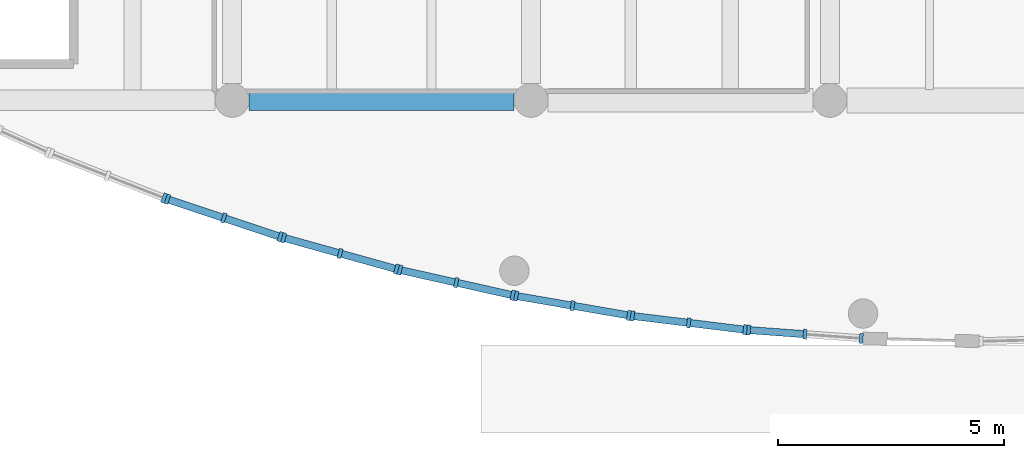
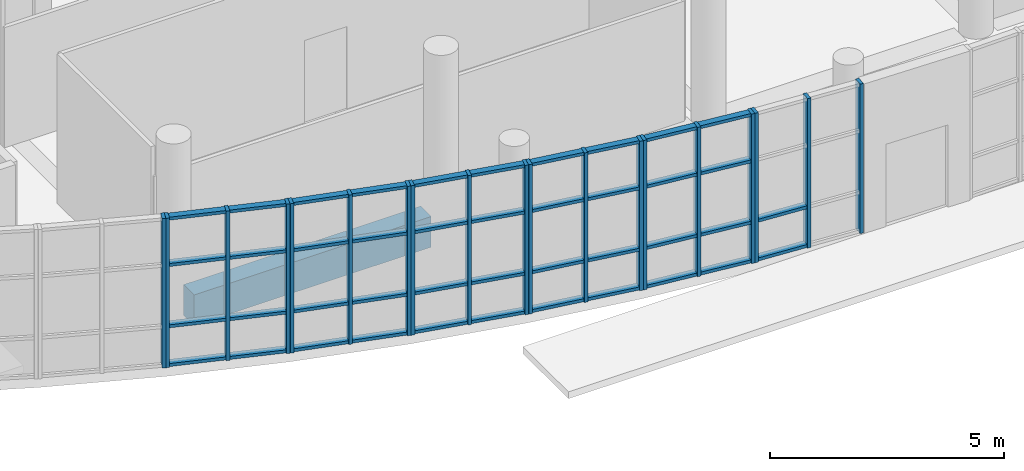
# One storey, part 10 of 69: 61 members, 1 beam, 7 elements without a shape of their own.
"""IFC4 building model written with IfcOpenShell, lengths in metres."""

from ifc_helpers import new_model, si_unit, direction, frame, origin, origin_2d, place, context, subcontext, project, spatial, rectangle, extrude, material, material_profile, profile_set, type_object, element, aggregate, save


model = new_model("IFC4")

# Units and contexts
model_context = context("Model", 3, precision=1e-05, world=origin(), true_north=direction((0.0, 1.0)))
body_context = subcontext(model_context, "Body", "Model", "MODEL_VIEW")
ifc_project = project(units=[si_unit("LENGTHUNIT", "METRE"), si_unit("AREAUNIT", "SQUARE_METRE"), si_unit("VOLUMEUNIT", "CUBIC_METRE"), si_unit("PLANEANGLEUNIT", "RADIAN"), si_unit("MASSUNIT", "GRAM", prefix="KILO")], contexts=[model_context])

# Site, building, storey
site_placement = place(None, origin())
site = spatial("IfcSite", under=ifc_project, at=site_placement, CompositionType="ELEMENT")
building_placement = place(site_placement, origin())
building = spatial("IfcBuilding", under=site, at=building_placement, Name="Ciguamira Faculty of Natural Sciences", CompositionType="ELEMENT")
storey_placement = place(building_placement, origin())
storey = spatial("IfcBuildingStorey", under=building, at=storey_placement, Name="L00", CompositionType="ELEMENT", Elevation=0.0)

# Curtain wall, member
ifc_material_1 = material(Name="Anodized aluminium curtain wall", Category="aluminium")
curtain_wall_type_1 = type_object("IfcCurtainWallType", Name="CurtainWall_CW-08", PredefinedType="USERDEFINED", material=ifc_material_1)
curtain_wall_1_placement = place(storey_placement, origin())
curtain_wall_1 = element("IfcCurtainWall", 1, at=curtain_wall_1_placement, inside=storey, type_object=curtain_wall_type_1, Name="L00 south gallery curved curtain wall 02", ObjectType="UNITISED CURTAIN WALL", PredefinedType="USERDEFINED")
ifc_material_2 = material(Name="Anodized aluminium mullion", Category="aluminium")
ifc_material_profile_1 = material_profile(ifc_material_2, rectangle(XDim=0.080078125, YDim=0.219970703125, at=origin_2d()), Name="ALU-MUL-80X220")
ifc_profile_set_1 = profile_set([ifc_material_profile_1], Name="Anodized aluminium mullion")
member_type_1 = type_object("IfcMemberType", Name="CWMullion_CWM-03", PredefinedType="MULLION", material=ifc_profile_set_1)
member_1_placement = place(storey_placement, frame((68.99609375, 7.84423828125, 0.0), z_axis=(0.0, 0.0, 1.0), x_axis=(0.931122296337, -0.36470710065, 0.0)))
member_1 = element("IfcMember", 2, at=member_1_placement, type_object=member_type_1, Name="CW-08 mullion 3", PredefinedType="MULLION", context=body_context, shape_type="SweptSolid", body=[
    extrude(rectangle(XDim=0.080078125, YDim=0.219970703125, at=origin_2d()), origin(), (0.0, 0.0, 1.0), 3.89990234375),
])
aggregate(curtain_wall_1, [member_1])

# Curtain wall, members
curtain_wall_type_2 = type_object("IfcCurtainWallType", Name="CurtainWall_CW-09", PredefinedType="USERDEFINED", material=ifc_material_1)
curtain_wall_2_placement = place(storey_placement, origin())
curtain_wall_2 = element("IfcCurtainWall", 3, at=curtain_wall_2_placement, inside=storey, type_object=curtain_wall_type_2, Name="L00 south gallery curved curtain wall 03", ObjectType="UNITISED CURTAIN WALL", PredefinedType="USERDEFINED")
member_2_placement = place(storey_placement, frame((69.0712890625, 7.81689453125, 0.0), z_axis=(0.0, 0.0, 1.0), x_axis=(0.948735033862, -0.316072516242, 0.0)))
member_2 = element("IfcMember", 4, at=member_2_placement, type_object=member_type_1, Name="CW-09 mullion 1", PredefinedType="MULLION", context=body_context, shape_type="SweptSolid", body=[
    extrude(rectangle(XDim=0.080078125, YDim=0.219970703125, at=origin_2d()), origin(), (0.0, 0.0, 1.0), 3.89990234375),
])
member_3_placement = place(storey_placement, frame((70.316650390625, 7.402099609375, 0.0), z_axis=(0.0, 0.0, 1.0), x_axis=(0.948735033862, -0.316072516242, 0.0)))
member_3 = element("IfcMember", 5, at=member_3_placement, type_object=member_type_1, Name="CW-09 mullion 2", PredefinedType="MULLION", context=body_context, shape_type="SweptSolid", body=[
    extrude(rectangle(XDim=0.080078125, YDim=0.219970703125, at=origin_2d()), origin(), (0.0, 0.0, 1.0), 3.89990234375),
])
member_4_placement = place(storey_placement, frame((71.56201171875, 6.987060546875, 0.0), z_axis=(0.0, 0.0, 1.0), x_axis=(0.948735033862, -0.316072516242, 0.0)))
member_4 = element("IfcMember", 6, at=member_4_placement, type_object=member_type_1, Name="CW-09 mullion 3", PredefinedType="MULLION", context=body_context, shape_type="SweptSolid", body=[
    extrude(rectangle(XDim=0.080078125, YDim=0.219970703125, at=origin_2d()), origin(), (0.0, 0.0, 1.0), 3.89990234375),
])

curtain_wall_type_3 = type_object("IfcCurtainWallType", Name="CurtainWall_CW-10", PredefinedType="USERDEFINED", material=ifc_material_1)
curtain_wall_3_placement = place(storey_placement, origin())
curtain_wall_3 = element("IfcCurtainWall", 7, at=curtain_wall_3_placement, inside=storey, type_object=curtain_wall_type_3, Name="L00 south gallery curved curtain wall 04", ObjectType="UNITISED CURTAIN WALL", PredefinedType="USERDEFINED")
member_5_placement = place(storey_placement, frame((71.638427734375, 6.9638671875, 0.0), z_axis=(0.0, 0.0, 1.0), x_axis=(0.963573286652, -0.267444426472, 0.0)))
member_5 = element("IfcMember", 8, at=member_5_placement, type_object=member_type_1, Name="CW-10 mullion 1", PredefinedType="MULLION", context=body_context, shape_type="SweptSolid", body=[
    extrude(rectangle(XDim=0.080078125, YDim=0.219970703125, at=origin_2d()), origin(), (0.0, 0.0, 1.0), 3.89990234375),
])
member_6_placement = place(storey_placement, frame((72.88330078125, 6.618408203125, 0.0), z_axis=(0.0, 0.0, 1.0), x_axis=(0.963573286652, -0.267444426472, 0.0)))
member_6 = element("IfcMember", 9, at=member_6_placement, type_object=member_type_1, Name="CW-10 mullion 2", PredefinedType="MULLION", context=body_context, shape_type="SweptSolid", body=[
    extrude(rectangle(XDim=0.080078125, YDim=0.219970703125, at=origin_2d()), origin(), (0.0, 0.0, 1.0), 3.89990234375),
])
member_7_placement = place(storey_placement, frame((74.128173828125, 6.272705078125, 0.0), z_axis=(0.0, 0.0, 1.0), x_axis=(0.963573286652, -0.267444426472, 0.0)))
member_7 = element("IfcMember", 10, at=member_7_placement, type_object=member_type_1, Name="CW-10 mullion 3", PredefinedType="MULLION", context=body_context, shape_type="SweptSolid", body=[
    extrude(rectangle(XDim=0.080078125, YDim=0.219970703125, at=origin_2d()), origin(), (0.0, 0.0, 1.0), 3.89990234375),
])

curtain_wall_type_4 = type_object("IfcCurtainWallType", Name="CurtainWall_CW-11", PredefinedType="USERDEFINED", material=ifc_material_1)
curtain_wall_4_placement = place(storey_placement, origin())
curtain_wall_4 = element("IfcCurtainWall", 11, at=curtain_wall_4_placement, inside=storey, type_object=curtain_wall_type_4, Name="L00 south gallery curved curtain wall 05", ObjectType="UNITISED CURTAIN WALL", PredefinedType="USERDEFINED")
member_8_placement = place(storey_placement, frame((74.205810546875, 6.25341796875, 0.0), z_axis=(0.0, 0.0, 1.0), x_axis=(0.975762990759, -0.218830038763, 0.0)))
member_8 = element("IfcMember", 12, at=member_8_placement, type_object=member_type_1, Name="CW-11 mullion 1", PredefinedType="MULLION", context=body_context, shape_type="SweptSolid", body=[
    extrude(rectangle(XDim=0.080078125, YDim=0.219970703125, at=origin_2d()), origin(), (0.0, 0.0, 1.0), 3.89990234375),
])
member_9_placement = place(storey_placement, frame((75.449951171875, 5.974365234375, 0.0), z_axis=(0.0, 0.0, 1.0), x_axis=(0.975762990759, -0.218830038763, 0.0)))
member_9 = element("IfcMember", 13, at=member_9_placement, type_object=member_type_1, Name="CW-11 mullion 2", PredefinedType="MULLION", context=body_context, shape_type="SweptSolid", body=[
    extrude(rectangle(XDim=0.080078125, YDim=0.219970703125, at=origin_2d()), origin(), (0.0, 0.0, 1.0), 3.89990234375),
])
member_10_placement = place(storey_placement, frame((76.6943359375, 5.6953125, 0.0), z_axis=(0.0, 0.0, 1.0), x_axis=(0.975762990759, -0.218830038763, 0.0)))
member_10 = element("IfcMember", 14, at=member_10_placement, type_object=member_type_1, Name="CW-11 mullion 3", PredefinedType="MULLION", context=body_context, shape_type="SweptSolid", body=[
    extrude(rectangle(XDim=0.080078125, YDim=0.219970703125, at=origin_2d()), origin(), (0.0, 0.0, 1.0), 3.89990234375),
])

curtain_wall_type_5 = type_object("IfcCurtainWallType", Name="CurtainWall_CW-12", PredefinedType="USERDEFINED", material=ifc_material_1)
curtain_wall_5_placement = place(storey_placement, origin())
curtain_wall_5 = element("IfcCurtainWall", 15, at=curtain_wall_5_placement, inside=storey, type_object=curtain_wall_type_5, Name="L00 south gallery curved curtain wall 06", ObjectType="UNITISED CURTAIN WALL", PredefinedType="USERDEFINED")
member_11_placement = place(storey_placement, frame((76.772705078125, 5.6796875, 0.0), z_axis=(0.0, 0.0, 1.0), x_axis=(0.985410865099, -0.170192323402, 0.0)))
member_11 = element("IfcMember", 16, at=member_11_placement, type_object=member_type_1, Name="CW-12 mullion 1", PredefinedType="MULLION", context=body_context, shape_type="SweptSolid", body=[
    extrude(rectangle(XDim=0.080078125, YDim=0.219970703125, at=origin_2d()), origin(), (0.0, 0.0, 1.0), 3.89990234375),
])
member_12_placement = place(storey_placement, frame((78.0166015625, 5.46484375, 0.0), z_axis=(0.0, 0.0, 1.0), x_axis=(0.985410865099, -0.170192323402, 0.0)))
member_12 = element("IfcMember", 17, at=member_12_placement, type_object=member_type_1, Name="CW-12 mullion 2", PredefinedType="MULLION", context=body_context, shape_type="SweptSolid", body=[
    extrude(rectangle(XDim=0.080078125, YDim=0.219970703125, at=origin_2d()), origin(), (0.0, 0.0, 1.0), 3.89990234375),
])
member_13_placement = place(storey_placement, frame((79.260498046875, 5.25, 0.0), z_axis=(0.0, 0.0, 1.0), x_axis=(0.985410865099, -0.170192323402, 0.0)))
member_13 = element("IfcMember", 18, at=member_13_placement, type_object=member_type_1, Name="CW-12 mullion 3", PredefinedType="MULLION", context=body_context, shape_type="SweptSolid", body=[
    extrude(rectangle(XDim=0.080078125, YDim=0.219970703125, at=origin_2d()), origin(), (0.0, 0.0, 1.0), 3.89990234375),
])

curtain_wall_type_6 = type_object("IfcCurtainWallType", Name="CurtainWall_CW-01", PredefinedType="USERDEFINED", material=ifc_material_1)
curtain_wall_6_placement = place(storey_placement, origin())
curtain_wall_6 = element("IfcCurtainWall", 19, at=curtain_wall_6_placement, inside=storey, type_object=curtain_wall_type_6, Name="L00 south gallery curved curtain wall 07", ObjectType="UNITISED CURTAIN WALL", PredefinedType="USERDEFINED")
member_14_placement = place(storey_placement, frame((79.339599609375, 5.23828125, 0.0), z_axis=(0.0, 0.0, 1.0), x_axis=(0.992585912631, -0.12154507825, 0.0)))
member_14 = element("IfcMember", 20, at=member_14_placement, type_object=member_type_1, Name="CW-01 mullion 1", PredefinedType="MULLION", context=body_context, shape_type="SweptSolid", body=[
    extrude(rectangle(XDim=0.080078125, YDim=0.219970703125, at=origin_2d()), origin(), (0.0, 0.0, 1.0), 3.89990234375),
])
member_15_placement = place(storey_placement, frame((80.583251953125, 5.0859375, 0.0), z_axis=(0.0, 0.0, 1.0), x_axis=(0.992585912631, -0.12154507825, 0.0)))
member_15 = element("IfcMember", 21, at=member_15_placement, type_object=member_type_1, Name="CW-01 mullion 2", PredefinedType="MULLION", context=body_context, shape_type="SweptSolid", body=[
    extrude(rectangle(XDim=0.080078125, YDim=0.219970703125, at=origin_2d()), origin(), (0.0, 0.0, 1.0), 3.89990234375),
])
member_16_placement = place(storey_placement, frame((81.826904296875, 4.933837890625, 0.0), z_axis=(0.0, 0.0, 1.0), x_axis=(0.992585912631, -0.12154507825, 0.0)))
member_16 = element("IfcMember", 22, at=member_16_placement, type_object=member_type_1, Name="CW-01 mullion 3", PredefinedType="MULLION", context=body_context, shape_type="SweptSolid", body=[
    extrude(rectangle(XDim=0.080078125, YDim=0.219970703125, at=origin_2d()), origin(), (0.0, 0.0, 1.0), 3.89990234375),
])

curtain_wall_type_7 = type_object("IfcCurtainWallType", Name="CurtainWall_CW-02", PredefinedType="USERDEFINED", material=ifc_material_1)
curtain_wall_7_placement = place(storey_placement, origin())
curtain_wall_7 = element("IfcCurtainWall", 23, at=curtain_wall_7_placement, inside=storey, type_object=curtain_wall_type_7, Name="L00 south gallery curved curtain wall 08", ObjectType="UNITISED CURTAIN WALL", PredefinedType="USERDEFINED")
member_17_placement = place(storey_placement, frame((81.906494140625, 4.926025390625, 0.0), z_axis=(0.0, 0.0, 1.0), x_axis=(0.99733655099, -0.072936986916, 0.0)))
member_17 = element("IfcMember", 24, at=member_17_placement, type_object=member_type_1, Name="CW-02 mullion 1", PredefinedType="MULLION", context=body_context, shape_type="SweptSolid", body=[
    extrude(rectangle(XDim=0.080078125, YDim=0.219970703125, at=origin_2d()), origin(), (0.0, 0.0, 1.0), 3.89990234375),
])
member_18_placement = place(storey_placement, frame((83.14990234375, 4.8349609375, 0.0), z_axis=(0.0, 0.0, 1.0), x_axis=(0.99733655099, -0.072936986916, 0.0)))
member_18 = element("IfcMember", 25, at=member_18_placement, type_object=member_type_1, Name="CW-02 mullion 2", PredefinedType="MULLION", context=body_context, shape_type="SweptSolid", body=[
    extrude(rectangle(XDim=0.080078125, YDim=0.219970703125, at=origin_2d()), origin(), (0.0, 0.0, 1.0), 3.89990234375),
])
member_19_placement = place(storey_placement, frame((84.393310546875, 4.744140625, 0.0), z_axis=(0.0, 0.0, 1.0), x_axis=(0.99733655099, -0.072936986916, 0.0)))
member_19 = element("IfcMember", 26, at=member_19_placement, type_object=member_type_1, Name="CW-02 mullion 3", PredefinedType="MULLION", context=body_context, shape_type="SweptSolid", body=[
    extrude(rectangle(XDim=0.080078125, YDim=0.219970703125, at=origin_2d()), origin(), (0.0, 0.0, 1.0), 3.89990234375),
])

# Member
ifc_material_3 = material(Name="Anodized aluminium transom", Category="aluminium")
ifc_material_profile_2 = material_profile(ifc_material_3, rectangle(XDim=0.080078125, YDim=0.159912109375, at=origin_2d()), Name="ALU-TRN-80X160")
ifc_profile_set_2 = profile_set([ifc_material_profile_2], Name="Anodized aluminium transom")
member_type_2 = type_object("IfcMemberType", Name="CWTransom_CWT-03", PredefinedType="USERDEFINED", material=ifc_profile_set_2)
member_20_placement = place(storey_placement, frame((69.109130859375, 7.80419921875, 0.0400390625), z_axis=(0.948802054129, -0.315871274543, 0.0), x_axis=(0.0, 0.0, 1.0)))
member_20 = element("IfcMember", 27, at=member_20_placement, type_object=member_type_2, Name="CW-09 transom 1.1", ObjectType="TRANSOM", PredefinedType="USERDEFINED", context=body_context, shape_type="SweptSolid", body=[
    extrude(rectangle(XDim=0.080078125, YDim=0.159912109375, at=origin_2d()), origin(), (0.0, 0.0, 1.0), 1.23291015625),
])

member_21_placement = place(storey_placement, frame((69.109130859375, 7.80419921875, 1.050048828125), z_axis=(0.948802054129, -0.315871274543, 0.0), x_axis=(0.0, 0.0, 1.0)))
member_21 = element("IfcMember", 28, at=member_21_placement, type_object=member_type_2, Name="CW-09 transom 1.2", ObjectType="TRANSOM", PredefinedType="USERDEFINED", context=body_context, shape_type="SweptSolid", body=[
    extrude(rectangle(XDim=0.080078125, YDim=0.159912109375, at=origin_2d()), origin(), (0.0, 0.0, 1.0), 1.23291015625),
])

member_22_placement = place(storey_placement, frame((69.109130859375, 7.80419921875, 2.64990234375), z_axis=(0.948802054129, -0.315871274543, 0.0), x_axis=(0.0, 0.0, 1.0)))
member_22 = element("IfcMember", 29, at=member_22_placement, type_object=member_type_2, Name="CW-09 transom 1.3", ObjectType="TRANSOM", PredefinedType="USERDEFINED", context=body_context, shape_type="SweptSolid", body=[
    extrude(rectangle(XDim=0.080078125, YDim=0.159912109375, at=origin_2d()), origin(), (0.0, 0.0, 1.0), 1.23291015625),
])

member_23_placement = place(storey_placement, frame((69.109130859375, 7.80419921875, 3.860107421875), z_axis=(0.948802054129, -0.315871274543, 0.0), x_axis=(0.0, 0.0, 1.0)))
member_23 = element("IfcMember", 30, at=member_23_placement, type_object=member_type_2, Name="CW-09 transom 1.4", ObjectType="TRANSOM", PredefinedType="USERDEFINED", context=body_context, shape_type="SweptSolid", body=[
    extrude(rectangle(XDim=0.080078125, YDim=0.159912109375, at=origin_2d()), origin(), (0.0, 0.0, 1.0), 1.23291015625),
])

member_24_placement = place(storey_placement, frame((70.3544921875, 7.389404296875, 0.0400390625), z_axis=(0.948742689117, -0.316049537013, 0.0), x_axis=(0.0, 0.0, 1.0)))
member_24 = element("IfcMember", 31, at=member_24_placement, type_object=member_type_2, Name="CW-09 transom 2.1", ObjectType="TRANSOM", PredefinedType="USERDEFINED", context=body_context, shape_type="SweptSolid", body=[
    extrude(rectangle(XDim=0.080078125, YDim=0.159912109375, at=origin_2d()), origin(), (0.0, 0.0, 1.0), 1.23291015625),
])

member_25_placement = place(storey_placement, frame((70.3544921875, 7.389404296875, 1.050048828125), z_axis=(0.948742689117, -0.316049537013, 0.0), x_axis=(0.0, 0.0, 1.0)))
member_25 = element("IfcMember", 32, at=member_25_placement, type_object=member_type_2, Name="CW-09 transom 2.2", ObjectType="TRANSOM", PredefinedType="USERDEFINED", context=body_context, shape_type="SweptSolid", body=[
    extrude(rectangle(XDim=0.080078125, YDim=0.159912109375, at=origin_2d()), origin(), (0.0, 0.0, 1.0), 1.23291015625),
])

member_26_placement = place(storey_placement, frame((70.3544921875, 7.389404296875, 2.64990234375), z_axis=(0.948742689117, -0.316049537013, 0.0), x_axis=(0.0, 0.0, 1.0)))
member_26 = element("IfcMember", 33, at=member_26_placement, type_object=member_type_2, Name="CW-09 transom 2.3", ObjectType="TRANSOM", PredefinedType="USERDEFINED", context=body_context, shape_type="SweptSolid", body=[
    extrude(rectangle(XDim=0.080078125, YDim=0.159912109375, at=origin_2d()), origin(), (0.0, 0.0, 1.0), 1.23291015625),
])

member_27_placement = place(storey_placement, frame((70.3544921875, 7.389404296875, 3.860107421875), z_axis=(0.948742689117, -0.316049537013, 0.0), x_axis=(0.0, 0.0, 1.0)))
member_27 = element("IfcMember", 34, at=member_27_placement, type_object=member_type_2, Name="CW-09 transom 2.4", ObjectType="TRANSOM", PredefinedType="USERDEFINED", context=body_context, shape_type="SweptSolid", body=[
    extrude(rectangle(XDim=0.080078125, YDim=0.159912109375, at=origin_2d()), origin(), (0.0, 0.0, 1.0), 1.23291015625),
])

aggregate(curtain_wall_2, [member_2, member_3, member_4, member_20, member_21, member_22, member_23, member_24, member_25, member_26, member_27])

member_28_placement = place(storey_placement, frame((71.677001953125, 6.953125, 0.0400390625), z_axis=(0.963549650457, -0.267529570522, 0.0), x_axis=(0.0, 0.0, 1.0)))
member_28 = element("IfcMember", 35, at=member_28_placement, type_object=member_type_2, Name="CW-10 transom 1.1", ObjectType="TRANSOM", PredefinedType="USERDEFINED", context=body_context, shape_type="SweptSolid", body=[
    extrude(rectangle(XDim=0.080078125, YDim=0.159912109375, at=origin_2d()), origin(), (0.0, 0.0, 1.0), 1.2119140625),
])

member_29_placement = place(storey_placement, frame((71.677001953125, 6.953125, 1.050048828125), z_axis=(0.963549650457, -0.267529570522, 0.0), x_axis=(0.0, 0.0, 1.0)))
member_29 = element("IfcMember", 36, at=member_29_placement, type_object=member_type_2, Name="CW-10 transom 1.2", ObjectType="TRANSOM", PredefinedType="USERDEFINED", context=body_context, shape_type="SweptSolid", body=[
    extrude(rectangle(XDim=0.080078125, YDim=0.159912109375, at=origin_2d()), origin(), (0.0, 0.0, 1.0), 1.2119140625),
])

member_30_placement = place(storey_placement, frame((71.677001953125, 6.953125, 2.64990234375), z_axis=(0.963549650457, -0.267529570522, 0.0), x_axis=(0.0, 0.0, 1.0)))
member_30 = element("IfcMember", 37, at=member_30_placement, type_object=member_type_2, Name="CW-10 transom 1.3", ObjectType="TRANSOM", PredefinedType="USERDEFINED", context=body_context, shape_type="SweptSolid", body=[
    extrude(rectangle(XDim=0.080078125, YDim=0.159912109375, at=origin_2d()), origin(), (0.0, 0.0, 1.0), 1.2119140625),
])

member_31_placement = place(storey_placement, frame((71.677001953125, 6.953125, 3.860107421875), z_axis=(0.963549650457, -0.267529570522, 0.0), x_axis=(0.0, 0.0, 1.0)))
member_31 = element("IfcMember", 38, at=member_31_placement, type_object=member_type_2, Name="CW-10 transom 1.4", ObjectType="TRANSOM", PredefinedType="USERDEFINED", context=body_context, shape_type="SweptSolid", body=[
    extrude(rectangle(XDim=0.080078125, YDim=0.159912109375, at=origin_2d()), origin(), (0.0, 0.0, 1.0), 1.2119140625),
])

member_32_placement = place(storey_placement, frame((72.921875, 6.607666015625, 0.0400390625), z_axis=(0.963549650457, -0.267529570522, 0.0), x_axis=(0.0, 0.0, 1.0)))
member_32 = element("IfcMember", 39, at=member_32_placement, type_object=member_type_2, Name="CW-10 transom 2.1", ObjectType="TRANSOM", PredefinedType="USERDEFINED", context=body_context, shape_type="SweptSolid", body=[
    extrude(rectangle(XDim=0.080078125, YDim=0.159912109375, at=origin_2d()), origin(), (0.0, 0.0, 1.0), 1.2119140625),
])

member_33_placement = place(storey_placement, frame((72.921875, 6.607666015625, 1.050048828125), z_axis=(0.963549650457, -0.267529570522, 0.0), x_axis=(0.0, 0.0, 1.0)))
member_33 = element("IfcMember", 40, at=member_33_placement, type_object=member_type_2, Name="CW-10 transom 2.2", ObjectType="TRANSOM", PredefinedType="USERDEFINED", context=body_context, shape_type="SweptSolid", body=[
    extrude(rectangle(XDim=0.080078125, YDim=0.159912109375, at=origin_2d()), origin(), (0.0, 0.0, 1.0), 1.2119140625),
])

member_34_placement = place(storey_placement, frame((72.921875, 6.607666015625, 2.64990234375), z_axis=(0.963549650457, -0.267529570522, 0.0), x_axis=(0.0, 0.0, 1.0)))
member_34 = element("IfcMember", 41, at=member_34_placement, type_object=member_type_2, Name="CW-10 transom 2.3", ObjectType="TRANSOM", PredefinedType="USERDEFINED", context=body_context, shape_type="SweptSolid", body=[
    extrude(rectangle(XDim=0.080078125, YDim=0.159912109375, at=origin_2d()), origin(), (0.0, 0.0, 1.0), 1.2119140625),
])

member_35_placement = place(storey_placement, frame((72.921875, 6.607666015625, 3.860107421875), z_axis=(0.963549650457, -0.267529570522, 0.0), x_axis=(0.0, 0.0, 1.0)))
member_35 = element("IfcMember", 42, at=member_35_placement, type_object=member_type_2, Name="CW-10 transom 2.4", ObjectType="TRANSOM", PredefinedType="USERDEFINED", context=body_context, shape_type="SweptSolid", body=[
    extrude(rectangle(XDim=0.080078125, YDim=0.159912109375, at=origin_2d()), origin(), (0.0, 0.0, 1.0), 1.2119140625),
])

aggregate(curtain_wall_3, [member_5, member_6, member_7, member_28, member_29, member_30, member_31, member_32, member_33, member_34, member_35])

member_36_placement = place(storey_placement, frame((74.244873046875, 6.24462890625, 0.0400390625), z_axis=(0.975767018908, -0.218812076476, 0.0), x_axis=(0.0, 0.0, 1.0)))
member_36 = element("IfcMember", 43, at=member_36_placement, type_object=member_type_2, Name="CW-11 transom 1.1", ObjectType="TRANSOM", PredefinedType="USERDEFINED", context=body_context, shape_type="SweptSolid", body=[
    extrude(rectangle(XDim=0.080078125, YDim=0.159912109375, at=origin_2d()), origin(), (0.0, 0.0, 1.0), 1.195068359375),
])

member_37_placement = place(storey_placement, frame((74.244873046875, 6.24462890625, 1.050048828125), z_axis=(0.975767018908, -0.218812076476, 0.0), x_axis=(0.0, 0.0, 1.0)))
member_37 = element("IfcMember", 44, at=member_37_placement, type_object=member_type_2, Name="CW-11 transom 1.2", ObjectType="TRANSOM", PredefinedType="USERDEFINED", context=body_context, shape_type="SweptSolid", body=[
    extrude(rectangle(XDim=0.080078125, YDim=0.159912109375, at=origin_2d()), origin(), (0.0, 0.0, 1.0), 1.195068359375),
])

member_38_placement = place(storey_placement, frame((74.244873046875, 6.24462890625, 2.64990234375), z_axis=(0.975767018908, -0.218812076476, 0.0), x_axis=(0.0, 0.0, 1.0)))
member_38 = element("IfcMember", 45, at=member_38_placement, type_object=member_type_2, Name="CW-11 transom 1.3", ObjectType="TRANSOM", PredefinedType="USERDEFINED", context=body_context, shape_type="SweptSolid", body=[
    extrude(rectangle(XDim=0.080078125, YDim=0.159912109375, at=origin_2d()), origin(), (0.0, 0.0, 1.0), 1.195068359375),
])

member_39_placement = place(storey_placement, frame((74.244873046875, 6.24462890625, 3.860107421875), z_axis=(0.975767018908, -0.218812076476, 0.0), x_axis=(0.0, 0.0, 1.0)))
member_39 = element("IfcMember", 46, at=member_39_placement, type_object=member_type_2, Name="CW-11 transom 1.4", ObjectType="TRANSOM", PredefinedType="USERDEFINED", context=body_context, shape_type="SweptSolid", body=[
    extrude(rectangle(XDim=0.080078125, YDim=0.159912109375, at=origin_2d()), origin(), (0.0, 0.0, 1.0), 1.195068359375),
])

member_40_placement = place(storey_placement, frame((75.489013671875, 5.965576171875, 0.0400390625), z_axis=(0.97577679791, -0.218768463588, 0.0), x_axis=(0.0, 0.0, 1.0)))
member_40 = element("IfcMember", 47, at=member_40_placement, type_object=member_type_2, Name="CW-11 transom 2.1", ObjectType="TRANSOM", PredefinedType="USERDEFINED", context=body_context, shape_type="SweptSolid", body=[
    extrude(rectangle(XDim=0.080078125, YDim=0.159912109375, at=origin_2d()), origin(), (0.0, 0.0, 1.0), 1.1953125),
])

member_41_placement = place(storey_placement, frame((75.489013671875, 5.965576171875, 1.050048828125), z_axis=(0.97577679791, -0.218768463588, 0.0), x_axis=(0.0, 0.0, 1.0)))
member_41 = element("IfcMember", 48, at=member_41_placement, type_object=member_type_2, Name="CW-11 transom 2.2", ObjectType="TRANSOM", PredefinedType="USERDEFINED", context=body_context, shape_type="SweptSolid", body=[
    extrude(rectangle(XDim=0.080078125, YDim=0.159912109375, at=origin_2d()), origin(), (0.0, 0.0, 1.0), 1.1953125),
])

member_42_placement = place(storey_placement, frame((75.489013671875, 5.965576171875, 2.64990234375), z_axis=(0.97577679791, -0.218768463588, 0.0), x_axis=(0.0, 0.0, 1.0)))
member_42 = element("IfcMember", 49, at=member_42_placement, type_object=member_type_2, Name="CW-11 transom 2.3", ObjectType="TRANSOM", PredefinedType="USERDEFINED", context=body_context, shape_type="SweptSolid", body=[
    extrude(rectangle(XDim=0.080078125, YDim=0.159912109375, at=origin_2d()), origin(), (0.0, 0.0, 1.0), 1.1953125),
])

member_43_placement = place(storey_placement, frame((75.489013671875, 5.965576171875, 3.860107421875), z_axis=(0.97577679791, -0.218768463588, 0.0), x_axis=(0.0, 0.0, 1.0)))
member_43 = element("IfcMember", 50, at=member_43_placement, type_object=member_type_2, Name="CW-11 transom 2.4", ObjectType="TRANSOM", PredefinedType="USERDEFINED", context=body_context, shape_type="SweptSolid", body=[
    extrude(rectangle(XDim=0.080078125, YDim=0.159912109375, at=origin_2d()), origin(), (0.0, 0.0, 1.0), 1.1953125),
])

aggregate(curtain_wall_4, [member_8, member_9, member_10, member_36, member_37, member_38, member_39, member_40, member_41, member_42, member_43])

member_44_placement = place(storey_placement, frame((76.81201171875, 5.6728515625, 0.0400390625), z_axis=(0.985423139827, -0.170121237632, 0.0), x_axis=(0.0, 0.0, 1.0)))
member_44 = element("IfcMember", 51, at=member_44_placement, type_object=member_type_2, Name="CW-12 transom 1.1", ObjectType="TRANSOM", PredefinedType="USERDEFINED", context=body_context, shape_type="SweptSolid", body=[
    extrude(rectangle(XDim=0.080078125, YDim=0.159912109375, at=origin_2d()), origin(), (0.0, 0.0, 1.0), 1.1826171875),
])

member_45_placement = place(storey_placement, frame((76.81201171875, 5.6728515625, 1.050048828125), z_axis=(0.985423139827, -0.170121237632, 0.0), x_axis=(0.0, 0.0, 1.0)))
member_45 = element("IfcMember", 52, at=member_45_placement, type_object=member_type_2, Name="CW-12 transom 1.2", ObjectType="TRANSOM", PredefinedType="USERDEFINED", context=body_context, shape_type="SweptSolid", body=[
    extrude(rectangle(XDim=0.080078125, YDim=0.159912109375, at=origin_2d()), origin(), (0.0, 0.0, 1.0), 1.1826171875),
])

member_46_placement = place(storey_placement, frame((76.81201171875, 5.6728515625, 2.64990234375), z_axis=(0.985423139827, -0.170121237632, 0.0), x_axis=(0.0, 0.0, 1.0)))
member_46 = element("IfcMember", 53, at=member_46_placement, type_object=member_type_2, Name="CW-12 transom 1.3", ObjectType="TRANSOM", PredefinedType="USERDEFINED", context=body_context, shape_type="SweptSolid", body=[
    extrude(rectangle(XDim=0.080078125, YDim=0.159912109375, at=origin_2d()), origin(), (0.0, 0.0, 1.0), 1.1826171875),
])

member_47_placement = place(storey_placement, frame((76.81201171875, 5.6728515625, 3.860107421875), z_axis=(0.985423139827, -0.170121237632, 0.0), x_axis=(0.0, 0.0, 1.0)))
member_47 = element("IfcMember", 54, at=member_47_placement, type_object=member_type_2, Name="CW-12 transom 1.4", ObjectType="TRANSOM", PredefinedType="USERDEFINED", context=body_context, shape_type="SweptSolid", body=[
    extrude(rectangle(XDim=0.080078125, YDim=0.159912109375, at=origin_2d()), origin(), (0.0, 0.0, 1.0), 1.1826171875),
])

member_48_placement = place(storey_placement, frame((78.05615234375, 5.4580078125, 0.0400390625), z_axis=(0.985417162859, -0.170155855448, 0.0), x_axis=(0.0, 0.0, 1.0)))
member_48 = element("IfcMember", 55, at=member_48_placement, type_object=member_type_2, Name="CW-12 transom 2.1", ObjectType="TRANSOM", PredefinedType="USERDEFINED", context=body_context, shape_type="SweptSolid", body=[
    extrude(rectangle(XDim=0.080078125, YDim=0.159912109375, at=origin_2d()), origin(), (0.0, 0.0, 1.0), 1.182373046875),
])

member_49_placement = place(storey_placement, frame((78.05615234375, 5.4580078125, 1.050048828125), z_axis=(0.985417162859, -0.170155855448, 0.0), x_axis=(0.0, 0.0, 1.0)))
member_49 = element("IfcMember", 56, at=member_49_placement, type_object=member_type_2, Name="CW-12 transom 2.2", ObjectType="TRANSOM", PredefinedType="USERDEFINED", context=body_context, shape_type="SweptSolid", body=[
    extrude(rectangle(XDim=0.080078125, YDim=0.159912109375, at=origin_2d()), origin(), (0.0, 0.0, 1.0), 1.182373046875),
])

member_50_placement = place(storey_placement, frame((78.05615234375, 5.4580078125, 2.64990234375), z_axis=(0.985417162859, -0.170155855448, 0.0), x_axis=(0.0, 0.0, 1.0)))
member_50 = element("IfcMember", 57, at=member_50_placement, type_object=member_type_2, Name="CW-12 transom 2.3", ObjectType="TRANSOM", PredefinedType="USERDEFINED", context=body_context, shape_type="SweptSolid", body=[
    extrude(rectangle(XDim=0.080078125, YDim=0.159912109375, at=origin_2d()), origin(), (0.0, 0.0, 1.0), 1.182373046875),
])

member_51_placement = place(storey_placement, frame((78.05615234375, 5.4580078125, 3.860107421875), z_axis=(0.985417162859, -0.170155855448, 0.0), x_axis=(0.0, 0.0, 1.0)))
member_51 = element("IfcMember", 58, at=member_51_placement, type_object=member_type_2, Name="CW-12 transom 2.4", ObjectType="TRANSOM", PredefinedType="USERDEFINED", context=body_context, shape_type="SweptSolid", body=[
    extrude(rectangle(XDim=0.080078125, YDim=0.159912109375, at=origin_2d()), origin(), (0.0, 0.0, 1.0), 1.182373046875),
])

aggregate(curtain_wall_5, [member_11, member_12, member_13, member_44, member_45, member_46, member_47, member_48, member_49, member_50, member_51])

member_52_placement = place(storey_placement, frame((79.37939453125, 5.2333984375, 0.0400390625), z_axis=(0.992585363796, -0.121549560171, 0.0), x_axis=(0.0, 0.0, 1.0)))
member_52 = element("IfcMember", 59, at=member_52_placement, type_object=member_type_2, Name="CW-01 transom 1.1", ObjectType="TRANSOM", PredefinedType="USERDEFINED", context=body_context, shape_type="SweptSolid", body=[
    extrude(rectangle(XDim=0.080078125, YDim=0.159912109375, at=origin_2d()), origin(), (0.0, 0.0, 1.0), 1.173095703125),
])

member_53_placement = place(storey_placement, frame((79.37939453125, 5.2333984375, 1.050048828125), z_axis=(0.992585363796, -0.121549560171, 0.0), x_axis=(0.0, 0.0, 1.0)))
member_53 = element("IfcMember", 60, at=member_53_placement, type_object=member_type_2, Name="CW-01 transom 1.2", ObjectType="TRANSOM", PredefinedType="USERDEFINED", context=body_context, shape_type="SweptSolid", body=[
    extrude(rectangle(XDim=0.080078125, YDim=0.159912109375, at=origin_2d()), origin(), (0.0, 0.0, 1.0), 1.173095703125),
])

member_54_placement = place(storey_placement, frame((79.37939453125, 5.2333984375, 2.64990234375), z_axis=(0.992585363796, -0.121549560171, 0.0), x_axis=(0.0, 0.0, 1.0)))
member_54 = element("IfcMember", 61, at=member_54_placement, type_object=member_type_2, Name="CW-01 transom 1.3", ObjectType="TRANSOM", PredefinedType="USERDEFINED", context=body_context, shape_type="SweptSolid", body=[
    extrude(rectangle(XDim=0.080078125, YDim=0.159912109375, at=origin_2d()), origin(), (0.0, 0.0, 1.0), 1.173095703125),
])

member_55_placement = place(storey_placement, frame((79.37939453125, 5.2333984375, 3.860107421875), z_axis=(0.992585363796, -0.121549560171, 0.0), x_axis=(0.0, 0.0, 1.0)))
member_55 = element("IfcMember", 62, at=member_55_placement, type_object=member_type_2, Name="CW-01 transom 1.4", ObjectType="TRANSOM", PredefinedType="USERDEFINED", context=body_context, shape_type="SweptSolid", body=[
    extrude(rectangle(XDim=0.080078125, YDim=0.159912109375, at=origin_2d()), origin(), (0.0, 0.0, 1.0), 1.173095703125),
])

member_56_placement = place(storey_placement, frame((80.623046875, 5.081298828125, 0.0400390625), z_axis=(0.992585363796, -0.121549560171, 0.0), x_axis=(0.0, 0.0, 1.0)))
member_56 = element("IfcMember", 63, at=member_56_placement, type_object=member_type_2, Name="CW-01 transom 2.1", ObjectType="TRANSOM", PredefinedType="USERDEFINED", context=body_context, shape_type="SweptSolid", body=[
    extrude(rectangle(XDim=0.080078125, YDim=0.159912109375, at=origin_2d()), origin(), (0.0, 0.0, 1.0), 1.173095703125),
])

member_57_placement = place(storey_placement, frame((80.623046875, 5.081298828125, 1.050048828125), z_axis=(0.992585363796, -0.121549560171, 0.0), x_axis=(0.0, 0.0, 1.0)))
member_57 = element("IfcMember", 64, at=member_57_placement, type_object=member_type_2, Name="CW-01 transom 2.2", ObjectType="TRANSOM", PredefinedType="USERDEFINED", context=body_context, shape_type="SweptSolid", body=[
    extrude(rectangle(XDim=0.080078125, YDim=0.159912109375, at=origin_2d()), origin(), (0.0, 0.0, 1.0), 1.173095703125),
])

member_58_placement = place(storey_placement, frame((80.623046875, 5.081298828125, 2.64990234375), z_axis=(0.992585363796, -0.121549560171, 0.0), x_axis=(0.0, 0.0, 1.0)))
member_58 = element("IfcMember", 65, at=member_58_placement, type_object=member_type_2, Name="CW-01 transom 2.3", ObjectType="TRANSOM", PredefinedType="USERDEFINED", context=body_context, shape_type="SweptSolid", body=[
    extrude(rectangle(XDim=0.080078125, YDim=0.159912109375, at=origin_2d()), origin(), (0.0, 0.0, 1.0), 1.173095703125),
])

member_59_placement = place(storey_placement, frame((80.623046875, 5.081298828125, 3.860107421875), z_axis=(0.992585363796, -0.121549560171, 0.0), x_axis=(0.0, 0.0, 1.0)))
member_59 = element("IfcMember", 66, at=member_59_placement, type_object=member_type_2, Name="CW-01 transom 2.4", ObjectType="TRANSOM", PredefinedType="USERDEFINED", context=body_context, shape_type="SweptSolid", body=[
    extrude(rectangle(XDim=0.080078125, YDim=0.159912109375, at=origin_2d()), origin(), (0.0, 0.0, 1.0), 1.173095703125),
])

aggregate(curtain_wall_6, [member_14, member_15, member_16, member_52, member_53, member_54, member_55, member_56, member_57, member_58, member_59])

member_60_placement = place(storey_placement, frame((81.946533203125, 4.923095703125, 0.0400390625), z_axis=(0.997329635901, -0.073031481941, 0.0), x_axis=(0.0, 0.0, 1.0)))
member_60 = element("IfcMember", 67, at=member_60_placement, type_object=member_type_2, Name="CW-02 transom 1.1", ObjectType="TRANSOM", PredefinedType="USERDEFINED", context=body_context, shape_type="SweptSolid", body=[
    extrude(rectangle(XDim=0.080078125, YDim=0.159912109375, at=origin_2d()), origin(), (0.0, 0.0, 1.0), 1.166748046875),
])

member_61_placement = place(storey_placement, frame((81.946533203125, 4.923095703125, 1.050048828125), z_axis=(0.997329635901, -0.073031481941, 0.0), x_axis=(0.0, 0.0, 1.0)))
member_61 = element("IfcMember", 68, at=member_61_placement, type_object=member_type_2, Name="CW-02 transom 1.2", ObjectType="TRANSOM", PredefinedType="USERDEFINED", context=body_context, shape_type="SweptSolid", body=[
    extrude(rectangle(XDim=0.080078125, YDim=0.159912109375, at=origin_2d()), origin(), (0.0, 0.0, 1.0), 1.166748046875),
])

aggregate(curtain_wall_7, [member_17, member_18, member_19, member_60, member_61])

# Beam
ifc_material_4 = material(Name="Concrete C40/50", Category="concrete")
ifc_material_profile_3 = material_profile(ifc_material_4, rectangle(XDim=0.449951171875, YDim=0.800048828125, at=origin_2d()), Name="RC-BM-450X800")
ifc_profile_set_3 = profile_set([ifc_material_profile_3], Name="Concrete C40/50")
beam_type = type_object("IfcBeamType", Name="RCBeam_BG-05_RC-BM-450X800", PredefinedType="BEAM", material=ifc_profile_set_3)
beam_placement = place(storey_placement, frame((70.875, 10.0, -0.39990234375), z_axis=(1.0, 0.0, 0.0), x_axis=(0.0, 1.0, 0.0)))
element("IfcBeam", 69, at=beam_placement, inside=storey, type_object=beam_type, Name="L00 RC girder EW-0025", PredefinedType="BEAM", context=body_context, shape_type="SweptSolid", body=[
    extrude(rectangle(XDim=0.449951171875, YDim=0.800048828125, at=origin_2d()), origin(), (0.0, 0.0, 1.0), 5.85009765625),
])

save(model, "model.ifc")
